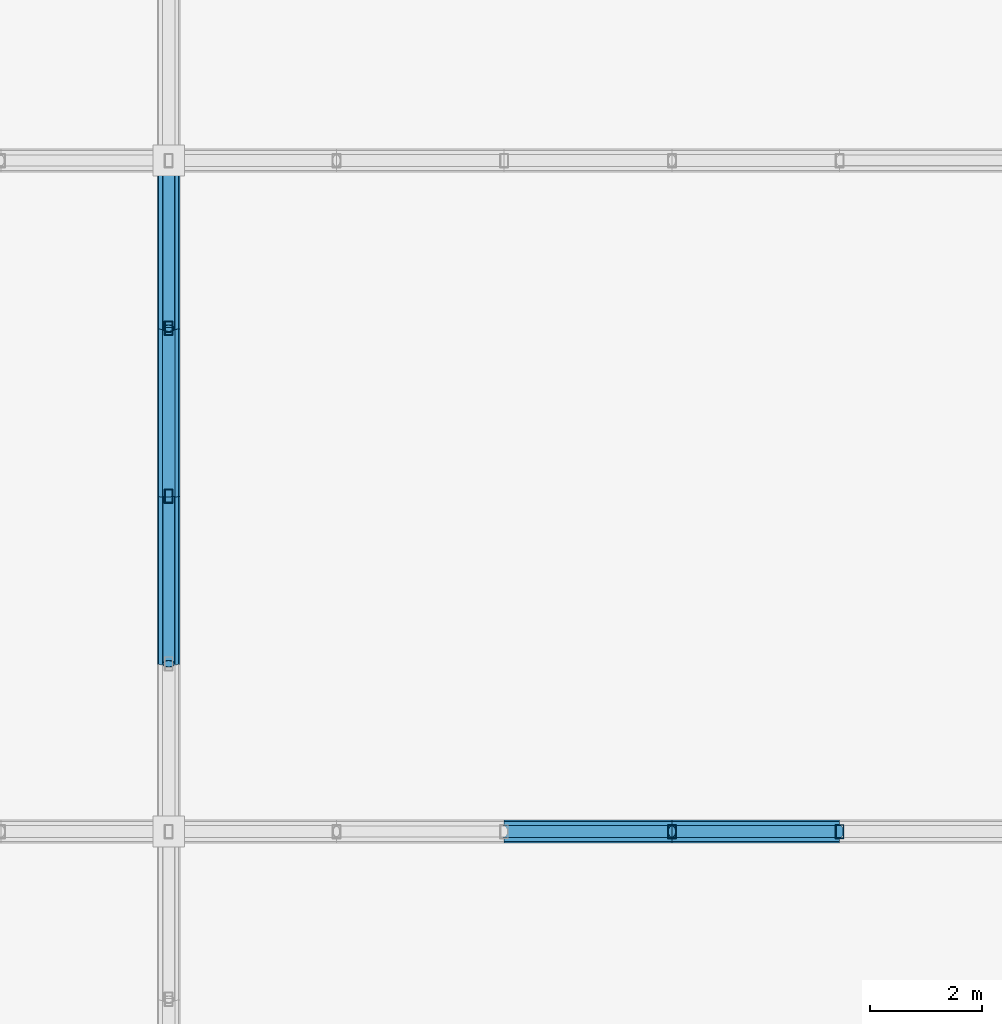
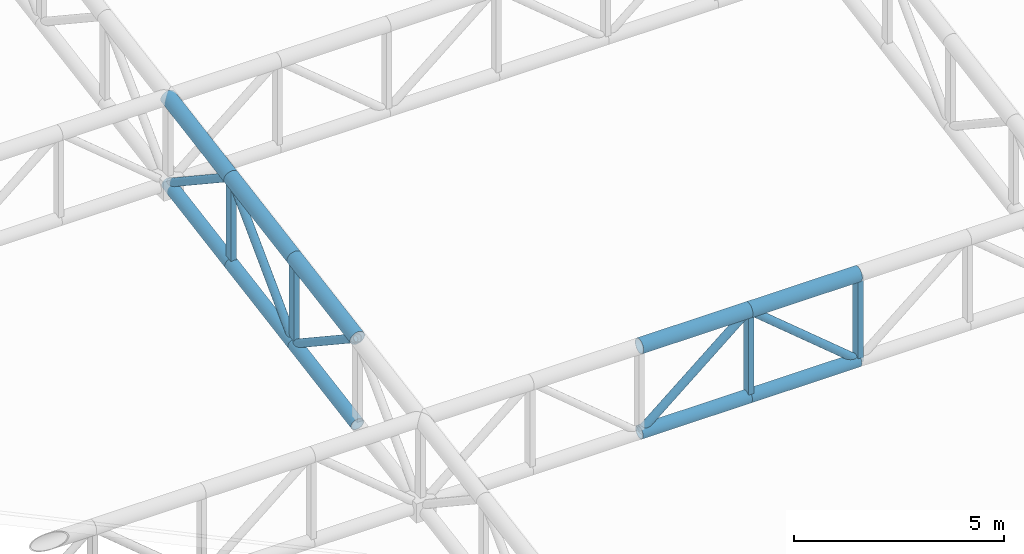
# One storey, part 40 of 239: 19 members.
"""IFC4 building model written with IfcOpenShell, lengths in metres."""

import ifcopenshell
import ifcopenshell.guid

model = None  # the IFC model being written
_history = None  # IfcOwnerHistory: only IFC2X3 demands one
_inside = {}  # id of a spatial element -> (the spatial element, [elements in it])
_under = {}  # id of a project, library or spatial element -> (it, [spatial elements below it])
_declared = {}  # id of a project -> (the project, [libraries it declares])
_typed = {}  # id of a type object -> (the type object, [elements of that type])
_made_of = {}  # id of a material, layer set ... -> (it, [elements and type objects made of it])


def new_model(schema):
    """Start an empty IFC model of exactly this schema.

    Asked for "IFC4X3", IfcOpenShell would pick the latest addendum, in which some entities
    have other attributes; the version numbers below select the first issue.
    IFC2X3 requires an IfcOwnerHistory on every rooted entity: one is made here for all.
    """
    global model, _history
    if schema == "IFC4X3":
        model = ifcopenshell.file(schema_version=(4, 3, 0, 0))
    else:
        model = ifcopenshell.file(schema=schema)
    _inside.clear()
    _under.clear()
    _declared.clear()
    _typed.clear()
    _made_of.clear()
    _history = None
    if model.schema == "IFC2X3":
        org = make("IfcOrganization", Name="unknown")
        user = make(
            "IfcPersonAndOrganization",
            ThePerson=make("IfcPerson", FamilyName="unknown"),
            TheOrganization=org,
        )
        app = make(
            "IfcApplication",
            ApplicationDeveloper=org,
            Version="unknown",
            ApplicationFullName="unknown",
            ApplicationIdentifier="unknown",
        )
        _history = make(
            "IfcOwnerHistory",
            OwningUser=user,
            OwningApplication=app,
            ChangeAction="ADDED",
            CreationDate=0,
        )
    return model


def make(cls, **values):
    """One entity of the class cls with the attributes given. An attribute that is None is left unset."""
    return model.create_entity(
        cls, **{name: value for name, value in values.items() if value is not None}
    )


def rooted(cls, **values):
    """An entity with a GlobalId (a new one), such as an element, a storey or a relation."""
    return make(cls, GlobalId=ifcopenshell.guid.new(), OwnerHistory=_history, **values)


def si_unit(unit_type, name, prefix=None):
    """IfcSIUnit, for example si_unit("LENGTHUNIT", "METRE", prefix="MILLI")."""
    return make("IfcSIUnit", UnitType=unit_type, Prefix=prefix, Name=name)


def assignment(units):
    """IfcUnitAssignment: the units of a project."""
    return None if units is None else make("IfcUnitAssignment", Units=units)


def point(xyz):
    """IfcCartesianPoint."""
    return None if xyz is None else make("IfcCartesianPoint", Coordinates=xyz)


def direction(xyz):
    """IfcDirection."""
    return None if xyz is None else make("IfcDirection", DirectionRatios=xyz)


def frame(location, z_axis=None, x_axis=None):
    """IfcAxis2Placement3D, a coordinate frame: its origin and axes. An axis left out is left unset."""
    return make(
        "IfcAxis2Placement3D",
        Location=point(location),
        Axis=direction(z_axis),
        RefDirection=direction(x_axis),
    )


def frame_2d(location, x_axis=None):
    """IfcAxis2Placement2D, a coordinate frame in the plane: its origin and x axis."""
    return make(
        "IfcAxis2Placement2D", Location=point(location), RefDirection=direction(x_axis)
    )


def origin():
    """The frame at (0, 0, 0) with its axes left unset."""
    return frame((0.0, 0.0, 0.0))


def origin_2d():
    """The frame at (0, 0) in the plane with its x axis left unset."""
    return frame_2d((0.0, 0.0))


def place(relative_to, where):
    """IfcLocalPlacement: puts the frame where relative to a parent placement (None: the world)."""
    return make(
        "IfcLocalPlacement", PlacementRelTo=relative_to, RelativePlacement=where
    )


def context(
    kind, dimensions, precision=None, world=None, true_north=None, identifier=None
):
    """IfcGeometricRepresentationContext, for example the 3D "Model" context."""
    return make(
        "IfcGeometricRepresentationContext",
        ContextIdentifier=identifier,
        ContextType=kind,
        CoordinateSpaceDimension=dimensions,
        Precision=precision,
        WorldCoordinateSystem=world,
        TrueNorth=true_north,
    )


def subcontext(parent, identifier, kind, view, scale=None):
    """IfcGeometricRepresentationSubContext, for example "Body" below "Model"."""
    return make(
        "IfcGeometricRepresentationSubContext",
        ContextIdentifier=identifier,
        ContextType=kind,
        ParentContext=parent,
        TargetScale=scale,
        TargetView=view,
    )


def project(units=None, contexts=None):
    """IfcProject with its units and contexts."""
    return rooted(
        "IfcProject",
        Name="project",
        RepresentationContexts=contexts,
        UnitsInContext=assignment(units),
    )


def spatial(cls, under=None, at=None, **own):
    """A site, building, storey or space (cls), placed at a placement, below another one or the project."""
    s = rooted(cls, ObjectPlacement=at, **own)
    if under is not None:
        _under.setdefault(under.id(), (under, []))[1].append(s)
    return s


def profile(cls, at=None, kind="AREA", **sizes):
    """A parametric profile (cls). Its sizes go by their IFC names, for example OverallWidth=200.0."""
    return make(cls, ProfileType=kind, Position=at, **sizes)


def hollow_rectangle(**sizes):
    """IfcRectangleHollowProfileDef."""
    return profile("IfcRectangleHollowProfileDef", **sizes)


def hollow_circle(**sizes):
    """IfcCircleHollowProfileDef."""
    return profile("IfcCircleHollowProfileDef", **sizes)


def extrude(swept, where, along, depth):
    """IfcExtrudedAreaSolid: the profile swept, set in the frame where, extruded along a direction by depth."""
    return make(
        "IfcExtrudedAreaSolid",
        SweptArea=swept,
        Position=where,
        ExtrudedDirection=direction(along),
        Depth=depth,
    )


def shape(context_of_items, identifier, shape_type, items):
    """IfcShapeRepresentation: the items that make up one representation, for example the "Body"."""
    return make(
        "IfcShapeRepresentation",
        ContextOfItems=context_of_items,
        RepresentationIdentifier=identifier,
        RepresentationType=shape_type,
        Items=items,
    )


def material(Name=None, Category=None):
    """IfcMaterial."""
    return make("IfcMaterial", Name=Name, Category=Category)


def material_profile(
    of_material, cross_section, Name=None, Category=None, Priority=None
):
    """IfcMaterialProfile: a cross section and its material."""
    return make(
        "IfcMaterialProfile",
        Name=Name,
        Material=of_material,
        Profile=cross_section,
        Priority=Priority,
        Category=Category,
    )


def profile_set(profiles, Name=None, composite=None):
    """IfcMaterialProfileSet."""
    return make(
        "IfcMaterialProfileSet",
        Name=Name,
        MaterialProfiles=profiles,
        CompositeProfile=composite,
    )


def made_of(thing, what):
    """Note that an element or type object is made of a material, layer set ...; save() writes the relation."""
    if what is not None:
        _made_of.setdefault(what.id(), (what, []))[1].append(thing)
    return thing


def type_object(cls, material=None, **own):
    """A type object (cls), such as IfcWallType, which elements share."""
    return made_of(rooted(cls, **own), material)


def element(
    cls,
    number,
    at=None,
    inside=None,
    cuts=None,
    type_object=None,
    material=None,
    context=None,
    identifier="Body",
    shape_type=None,
    held_by="IfcProductDefinitionShape",
    body=None,
    shapes=None,
    **own,
):
    """One element of the class cls, such as IfcWall. Its Tag is "e" and its number.

    at: its placement. inside: the storey or other place that contains it. cuts: it is an
    opening in that element (IfcRelVoidsElement). A single representation is given by context,
    identifier, shape_type and body (its items); several are given by shapes. held_by: the class
    of the entity that holds the representations. save() writes the other relations.
    """
    e = rooted(cls, Tag="e%d" % number, ObjectPlacement=at, **own)
    if body is not None:
        shapes = [shape(context, identifier, shape_type, body)]
    if shapes is not None:
        e.Representation = make(held_by, Representations=shapes)
    if inside is not None:
        _inside.setdefault(inside.id(), (inside, []))[1].append(e)
    if cuts is not None:
        rooted(
            "IfcRelVoidsElement", RelatingBuildingElement=cuts, RelatedOpeningElement=e
        )
    if type_object is not None:
        _typed.setdefault(type_object.id(), (type_object, []))[1].append(e)
    return made_of(e, material)


def aggregate(whole, parts):
    """IfcRelAggregates: a whole, such as a stair, and the parts it consists of."""
    return rooted("IfcRelAggregates", RelatingObject=whole, RelatedObjects=parts)


def save(model, path):
    """Write the relations noted so far, then the file.

    IfcRelAggregates (storeys below a building ...), IfcRelContainedInSpatialStructure (elements
    in a storey), IfcRelDefinesByType, IfcRelAssociatesMaterial and IfcRelDeclares: one each for
    every whole, place, type object, material and project.
    """
    for whole, parts in _under.values():
        aggregate(whole, parts)
    for where, things in _inside.values():
        rooted(
            "IfcRelContainedInSpatialStructure",
            RelatedElements=things,
            RelatingStructure=where,
        )
    for kind, things in _typed.values():
        rooted("IfcRelDefinesByType", RelatedObjects=things, RelatingType=kind)
    for what, things in _made_of.values():
        rooted("IfcRelAssociatesMaterial", RelatedObjects=things, RelatingMaterial=what)
    for by, libraries in _declared.values():
        rooted("IfcRelDeclares", RelatingContext=by, RelatedDefinitions=libraries)
    model.write(path)


model = new_model("IFC4")

# Units and contexts
model_context = context("Model", 3, precision=1e-05, world=origin(), true_north=direction((0.0, 1.0)))
body_context = subcontext(model_context, "Body", "Model", "MODEL_VIEW")
ifc_project = project(units=[si_unit("LENGTHUNIT", "METRE"), si_unit("AREAUNIT", "SQUARE_METRE"), si_unit("VOLUMEUNIT", "CUBIC_METRE"), si_unit("PLANEANGLEUNIT", "RADIAN"), si_unit("MASSUNIT", "GRAM", prefix="KILO")], contexts=[model_context])

# Site, building, storey
site_placement = place(None, origin())
site = spatial("IfcSite", under=ifc_project, at=site_placement, CompositionType="ELEMENT")
building_placement = place(site_placement, origin())
building = spatial("IfcBuilding", under=site, at=building_placement, Name="Kaldris Quays Convention Centre", CompositionType="ELEMENT")
storey_placement = place(building_placement, frame((0.0, 0.0, 11.39990234375)))
storey = spatial("IfcBuildingStorey", under=building, at=storey_placement, Name="L02", CompositionType="ELEMENT", Elevation=11.39990234375)

# Members
ifc_material = material(Name="Steel S355J2H", Category="steel")
ifc_material_profile_1 = material_profile(ifc_material, hollow_circle(Radius=0.203125, WallThickness=0.01611328125, at=origin_2d()), Name="CHS 406.4x16")
ifc_profile_set_1 = profile_set([ifc_material_profile_1], Name="Steel S355J2H")
member_type_1 = type_object("IfcMemberType", Name="STRUCTURAL MEMBER SC01", PredefinedType="CHORD", material=ifc_profile_set_1)
for number, where, z_axis, x_axis, name in (
    (1, (44.0, 68.0, 11.72900390625), (1.0, 0.0, 0.0), (0.0, 1.0, 0.0), "SF-V1 Top Chord X 51"),
    (2, (47.0, 68.0, 11.72900390625), (1.0, 0.0, 0.0), (0.0, 1.0, 0.0), "SF-V1 Top Chord X 52"),
):
    element("IfcMember", number, at=place(storey_placement, frame(where, z_axis=z_axis, x_axis=x_axis)), inside=storey, type_object=member_type_1, Name=name, PredefinedType="CHORD", context=body_context, shape_type="SweptSolid", body=[
        extrude(hollow_circle(Radius=0.203125, WallThickness=0.01611328125, at=origin_2d()), origin(), (0.0, 0.0, 1.0), 3.0),
    ])
for number, where, z_axis, x_axis, name in (
    (3, (38.0, 71.0, 12.243408203125), (0.0, 0.98562912375, 0.168923741424), (-1.0, 0.0, 0.0), "SF-V1 Top Chord Y 370"),
    (4, (38.0, 74.0, 12.757568359375), (0.0, 0.985615766076, 0.169001661712), (-1.0, 0.0, 0.0), "SF-V1 Top Chord Y 371"),
    (5, (38.0, 77.0, 13.27197265625), (0.0, 0.98562912375, 0.168923741424), (-1.0, 0.0, 0.0), "SF-V1 Top Chord Y 372"),
):
    element("IfcMember", number, at=place(storey_placement, frame(where, z_axis=z_axis, x_axis=x_axis)), inside=storey, type_object=member_type_1, Name=name, PredefinedType="CHORD", context=body_context, shape_type="SweptSolid", body=[
        extrude(hollow_circle(Radius=0.203125, WallThickness=0.01611328125, at=origin_2d()), origin(), (0.0, 0.0, 1.0), 3.043701171875),
    ])
ifc_material_profile_2 = material_profile(ifc_material, hollow_circle(Radius=0.177734375, WallThickness=0.01611328125, at=origin_2d()), Name="CHS 355.6x16")
ifc_profile_set_2 = profile_set([ifc_material_profile_2], Name="Steel S355J2H")
member_type_2 = type_object("IfcMemberType", Name="STRUCTURAL MEMBER SC02", PredefinedType="CHORD", material=ifc_profile_set_2)
for number, where, z_axis, x_axis, name in (
    (6, (44.0, 68.0, 9.22900390625), (1.0, 0.0, 0.0), (0.0, 1.0, 0.0), "SF-V1 Bottom Chord X 51"),
    (7, (47.0, 68.0, 9.22900390625), (1.0, 0.0, 0.0), (0.0, 1.0, 0.0), "SF-V1 Bottom Chord X 52"),
):
    element("IfcMember", number, at=place(storey_placement, frame(where, z_axis=z_axis, x_axis=x_axis)), inside=storey, type_object=member_type_2, Name=name, PredefinedType="CHORD", context=body_context, shape_type="SweptSolid", body=[
        extrude(hollow_circle(Radius=0.177734375, WallThickness=0.01611328125, at=origin_2d()), origin(), (0.0, 0.0, 1.0), 3.0),
    ])
for number, where, z_axis, x_axis, name in (
    (8, (38.0, 71.0, 9.743408203125), (0.0, 0.98562912375, 0.168923741424), (-1.0, 0.0, 0.0), "SF-V1 Bottom Chord Y 370"),
    (9, (38.0, 74.0, 10.257568359375), (0.0, 0.985615766076, 0.169001661712), (-1.0, 0.0, 0.0), "SF-V1 Bottom Chord Y 371"),
    (10, (38.0, 77.0, 10.77197265625), (0.0, 0.98562912375, 0.168923741424), (-1.0, 0.0, 0.0), "SF-V1 Bottom Chord Y 372"),
):
    element("IfcMember", number, at=place(storey_placement, frame(where, z_axis=z_axis, x_axis=x_axis)), inside=storey, type_object=member_type_2, Name=name, PredefinedType="CHORD", context=body_context, shape_type="SweptSolid", body=[
        extrude(hollow_circle(Radius=0.177734375, WallThickness=0.01611328125, at=origin_2d()), origin(), (0.0, 0.0, 1.0), 3.043701171875),
    ])
ifc_material_profile_3 = material_profile(ifc_material, hollow_circle(Radius=0.109619140625, WallThickness=0.010009765625, at=origin_2d()), Name="CHS 219.1x10")
ifc_profile_set_3 = profile_set([ifc_material_profile_3], Name="Steel S355J2H")
member_type_3 = type_object("IfcMemberType", Name="STRUCTURAL MEMBER SWB1", PredefinedType="BRACE", material=ifc_profile_set_3)
for number, where, z_axis, x_axis, name in (
    (11, (44.0, 68.0, 9.22900390625), (0.768221279597, 0.0, 0.640184399664), (0.0, 1.0, 0.0), "SF-V1 Web Diagonal X 51"),
    (12, (50.0, 68.0, 9.22900390625), (-0.768221279597, 0.0, 0.640184399664), (0.0, -1.0, 0.0), "SF-V1 Web Diagonal X 52"),
):
    element("IfcMember", number, at=place(storey_placement, frame(where, z_axis=z_axis, x_axis=x_axis)), inside=storey, type_object=member_type_3, Name=name, PredefinedType="BRACE", context=body_context, shape_type="SweptSolid", body=[
        extrude(hollow_circle(Radius=0.109619140625, WallThickness=0.010009765625, at=origin_2d()), origin(), (0.0, 0.0, 1.0), 3.905029296875),
    ])
member_1_placement = place(storey_placement, frame((38.0, 74.0, 10.257568359375), z_axis=(0.0, -0.833862389808, 0.551972385962), x_axis=(1.0, 0.0, 0.0)))
element("IfcMember", 13, at=member_1_placement, inside=storey, type_object=member_type_3, Name="SF-V1 Web Diagonal Y 370", PredefinedType="BRACE", context=body_context, shape_type="SweptSolid", body=[
    extrude(hollow_circle(Radius=0.109619140625, WallThickness=0.010009765625, at=origin_2d()), origin(), (0.0, 0.0, 1.0), 3.59765625),
])
member_2_placement = place(storey_placement, frame((38.0, 74.0, 10.257568359375), z_axis=(0.0, 0.705411261057, 0.708798245465), x_axis=(-1.0, 0.0, 0.0)))
element("IfcMember", 14, at=member_2_placement, inside=storey, type_object=member_type_3, Name="SF-V1 Web Diagonal Y 371", PredefinedType="BRACE", context=body_context, shape_type="SweptSolid", body=[
    extrude(hollow_circle(Radius=0.109619140625, WallThickness=0.010009765625, at=origin_2d()), origin(), (0.0, 0.0, 1.0), 4.2529296875),
])
member_3_placement = place(storey_placement, frame((38.0, 80.0, 11.2861328125), z_axis=(0.0, -0.833862389808, 0.551972385962), x_axis=(1.0, 0.0, 0.0)))
element("IfcMember", 15, at=member_3_placement, inside=storey, type_object=member_type_3, Name="SF-V1 Web Diagonal Y 372", PredefinedType="BRACE", context=body_context, shape_type="SweptSolid", body=[
    extrude(hollow_circle(Radius=0.109619140625, WallThickness=0.010009765625, at=origin_2d()), origin(), (0.0, 0.0, 1.0), 3.59765625),
])
ifc_material_profile_4 = material_profile(ifc_material, hollow_rectangle(XDim=0.14990234375, YDim=0.25, WallThickness=0.010009765625, at=origin_2d()), Name="RHS 250x150x10")
ifc_profile_set_4 = profile_set([ifc_material_profile_4], Name="Steel S355J2H")
member_type_4 = type_object("IfcMemberType", Name="STRUCTURAL MEMBER TTV1", PredefinedType="POST", material=ifc_profile_set_4)
for number, where, z_axis, x_axis, name in (
    (16, (38.0, 74.0, 10.257568359375), (0.0, 0.0, 1.0), (1.0, 0.0, 0.0), "SF-V1 Space-Frame Post 76"),
    (17, (38.0, 77.0, 10.77197265625), (0.0, 0.0, 1.0), (1.0, 0.0, 0.0), "SF-V1 Space-Frame Post 77"),
    (18, (47.0, 68.0, 9.22900390625), (0.0, 0.0, 1.0), (1.0, 0.0, 0.0), "SF-V1 Space-Frame Post 116"),
    (19, (50.0, 68.0, 9.22900390625), (0.0, 0.0, 1.0), (1.0, 0.0, 0.0), "SF-V1 Space-Frame Post 124"),
):
    element("IfcMember", number, at=place(storey_placement, frame(where, z_axis=z_axis, x_axis=x_axis)), inside=storey, type_object=member_type_4, Name=name, PredefinedType="POST", context=body_context, shape_type="SweptSolid", body=[
        extrude(hollow_rectangle(XDim=0.14990234375, YDim=0.25, WallThickness=0.010009765625, at=origin_2d()), origin(), (0.0, 0.0, 1.0), 2.5),
    ])

save(model, "model.ifc")
